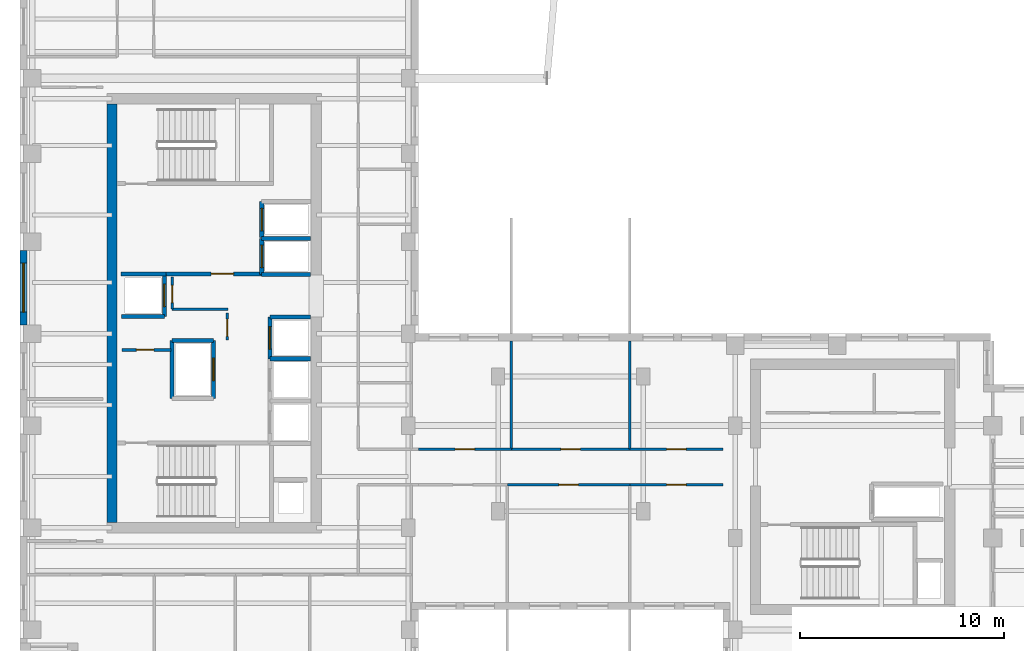
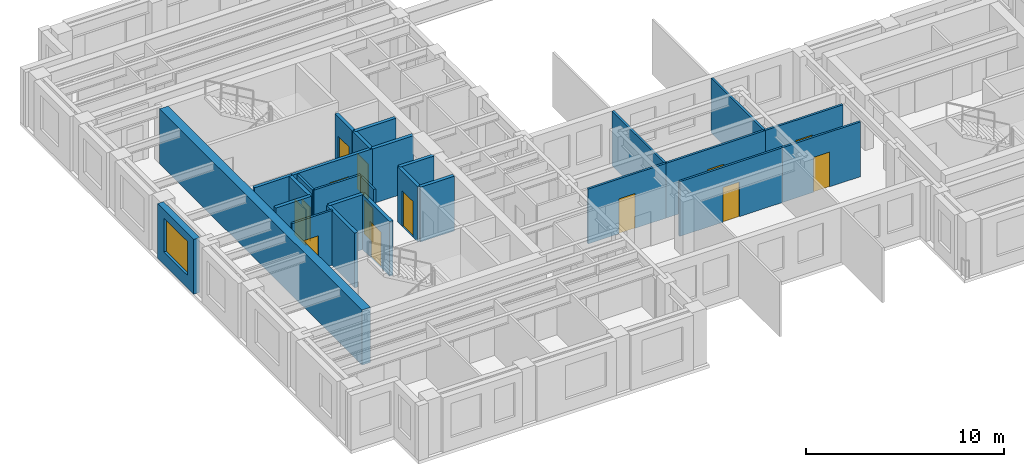
# One storey, part 5 of 11: 27 walls, 14 doors, 1 window, 15 openings.
"""IFC4 building model written with IfcOpenShell, lengths in metres."""

from ifc_helpers import new_model, si_unit, direction, frame, frame_2d, origin, place, context, subcontext, project, spatial, rectangle, extrude, source, transform, mapped, material, layer, layer_set, type_object, element, fill, save


model = new_model("IFC4")

# Units and contexts
model_context = context("Model", 3, precision=1e-05, world=origin(), true_north=direction((0.0, 1.0)))
body_context = subcontext(model_context, "Body", "Model", "MODEL_VIEW")
ifc_project = project(units=[si_unit("LENGTHUNIT", "METRE"), si_unit("AREAUNIT", "SQUARE_METRE"), si_unit("VOLUMEUNIT", "CUBIC_METRE"), si_unit("PLANEANGLEUNIT", "RADIAN"), si_unit("MASSUNIT", "GRAM", prefix="KILO")], contexts=[model_context])

# Site, building, storey
site_placement = place(None, origin())
site = spatial("IfcSite", under=ifc_project, at=site_placement, CompositionType="ELEMENT")
building_placement = place(site_placement, origin())
building = spatial("IfcBuilding", under=site, at=building_placement, Name="Kharzan Plaza Tower", CompositionType="ELEMENT")
storey_placement = place(building_placement, frame((0.0, 0.0, 219.60009765625)))
storey = spatial("IfcBuildingStorey", under=building, at=storey_placement, Name="L59", CompositionType="ELEMENT", Elevation=219.60009765625)

# Wall, opening, window
ifc_material_1 = material(Name="Concrete C40/50", Category="concrete")
ifc_layer_1 = layer(ifc_material_1, 0.35009765625)
ifc_layer_set_1 = layer_set([ifc_layer_1], Name="Concrete C40/50")
wall_type_1 = type_object("IfcWallType", Name="WL-EXT-MAS-Z4", PredefinedType="SOLIDWALL", material=ifc_layer_set_1)
wall_1_placement = place(storey_placement, frame((0.175048828125, 22.076904296875, 0.0), z_axis=(0.0, 0.0, 1.0), x_axis=(0.0, -1.0, 0.0)))
wall_1 = element("IfcWall", 1, at=wall_1_placement, inside=storey, type_object=wall_type_1, Name="L59 Masonry-Frame Exterior Wall 13", PredefinedType="SOLIDWALL", context=body_context, shape_type="SweptSolid", body=[
    extrude(rectangle(XDim=3.65380859375, YDim=0.35009765625, at=frame_2d((1.826904296875, 0.0))), origin(), (0.0, 0.0, 1.0), 3.385009765625),
])
opening_1_placement = place(wall_1_placement, frame((0.626953125, 0.0, 0.780029296875)))
opening_1 = element("IfcOpeningElement", 2, at=opening_1_placement, cuts=wall_1, Name="Opening W2", PredefinedType="OPENING", context=body_context, shape_type="SweptSolid", body=[
    extrude(rectangle(XDim=2.39990234375, YDim=2.10009765625, at=frame_2d((1.199951171875, 1.050048828125))), frame((0.0, 0.18505859375, 0.0), z_axis=(0.0, -1.0, 0.0), x_axis=(1.0, 0.0, 0.0)), (0.0, 0.0, 1.0), 0.3701171875),
])
ifc_material_2 = material(Name="Low-E Double Glazing", Category="glass")
window_type = type_object("IfcWindowType", Name="WN-REC-2400x2100", PartitioningType="SINGLE_PANEL", PredefinedType="WINDOW", material=ifc_material_2)
shared_shape_1 = source(origin(), body_context, "Body", "SweptSolid", [
    extrude(rectangle(XDim=2.39990234375, YDim=2.10009765625, at=frame_2d((1.199951171875, 1.050048828125))), frame((0.0, 0.030029296875, 0.0), z_axis=(0.0, -1.0, 0.0), x_axis=(1.0, 0.0, 0.0)), (0.0, 0.0, 1.0), 0.06005859375),
])
window_placement = place(opening_1_placement, origin())
window = element("IfcWindow", 3, at=window_placement, inside=storey, type_object=window_type, Name="L59 Wide Recessed Solar-Control Window 13-1", OverallHeight=2.10009765625, OverallWidth=2.39990234375, PartitioningType="SINGLE_PANEL", PredefinedType="WINDOW", context=body_context, shape_type="MappedRepresentation", body=[
    mapped(shared_shape_1, transform((0.0, 0.0, 0.0), x_axis=(1.0, 0.0, 0.0), y_axis=(0.0, 1.0, 0.0), z_axis=(0.0, 0.0, 1.0))),
])
fill(opening_1, window)

# Wall, opening, door
ifc_layer_2 = layer(ifc_material_1, 0.179931640625)
ifc_layer_set_2 = layer_set([ifc_layer_2], Name="Concrete C40/50")
wall_type_2 = type_object("IfcWallType", Name="WL-INT-FIRE-180", PredefinedType="PARTITIONING", material=ifc_layer_set_2)
wall_2_placement = place(storey_placement, frame((7.14990234375, 20.919921875, 0.0), z_axis=(0.0, 0.0, 1.0), x_axis=(1.0, 0.0, 0.0)))
wall_2 = element("IfcWall", 4, at=wall_2_placement, inside=storey, type_object=wall_type_2, Name="L59 Interior Partition CA-FF-S", PredefinedType="PARTITIONING", context=body_context, shape_type="SweptSolid", body=[
    extrude(rectangle(XDim=4.68017578125, YDim=0.179931640625, at=frame_2d((2.340087890625, 0.0))), origin(), (0.0, 0.0, 1.0), 3.385009765625),
])
opening_2_placement = place(wall_2_placement, frame((2.199951171875, 0.0, 0.0)))
opening_2 = element("IfcOpeningElement", 5, at=opening_2_placement, cuts=wall_2, Name="Opening FD1", PredefinedType="OPENING", context=body_context, shape_type="SweptSolid", body=[
    extrude(rectangle(XDim=1.10009765625, YDim=2.14990234375, at=frame_2d((0.550048828125, 1.074951171875))), frame((0.0, 0.099853515625, 0.0), z_axis=(0.0, -1.0, 0.0), x_axis=(1.0, 0.0, 0.0)), (0.0, 0.0, 1.0), 0.199951171875),
])
ifc_material_3 = material(Name="Fire-Rated Acoustic Vision-Panel Steel", Category="steel")
door_type_1 = type_object("IfcDoorType", Name="DR-FIRE-LOBBY", OperationType="NOTDEFINED", PredefinedType="DOOR", material=ifc_material_3)
shared_shape_2 = source(origin(), body_context, "Body", "SweptSolid", [
    extrude(rectangle(XDim=1.10009765625, YDim=2.14990234375, at=frame_2d((0.550048828125, 1.074951171875))), frame((0.0, 0.02490234375, 0.0), z_axis=(0.0, -1.0, 0.0), x_axis=(1.0, 0.0, 0.0)), (0.0, 0.0, 1.0), 0.050048828125),
])
door_1_placement = place(opening_2_placement, origin())
door_1 = element("IfcDoor", 6, at=door_1_placement, inside=storey, type_object=door_type_1, Name="L59 Firefighting Lobby Door", OperationType="SINGLE_SWING_LEFT", OverallHeight=2.14990234375, OverallWidth=1.10009765625, PredefinedType="DOOR", context=body_context, shape_type="MappedRepresentation", body=[
    mapped(shared_shape_2, transform((0.0, 0.0, 0.0), x_axis=(1.0, 0.0, 0.0), y_axis=(0.0, 1.0, 0.0), z_axis=(0.0, 0.0, 1.0))),
])
fill(opening_2, door_1)

ifc_material_4 = material(Name="Fire-Rated Gypsum Board Partition", Category="gypsum")
ifc_layer_3 = layer(ifc_material_4, 0.125)
ifc_layer_set_3 = layer_set([ifc_layer_3], Name="Fire-Rated Gypsum Board Partition")
wall_type_3 = type_object("IfcWallType", Name="WL-INT-PART-125", PredefinedType="PARTITIONING", material=ifc_layer_set_3)
wall_3_placement = place(storey_placement, frame((10.14990234375, 17.679931640625, 0.0), z_axis=(0.0, 0.0, 1.0), x_axis=(0.0, 1.0, 0.0)))
wall_3 = element("IfcWall", 7, at=wall_3_placement, inside=storey, type_object=wall_type_3, Name="L59 Interior Partition CA-K2A", PredefinedType="PARTITIONING", context=body_context, shape_type="SweptSolid", body=[
    extrude(rectangle(XDim=1.320068359375, YDim=0.125, at=frame_2d((0.66015625, 0.0))), origin(), (0.0, 0.0, 1.0), 3.385009765625),
])
opening_3_placement = place(wall_3_placement, frame((0.18505859375, 0.0, 0.0)))
opening_3 = element("IfcOpeningElement", 8, at=opening_3_placement, cuts=wall_3, Name="Opening RD1", PredefinedType="OPENING", context=body_context, shape_type="SweptSolid", body=[
    extrude(rectangle(XDim=0.85009765625, YDim=2.10009765625, at=frame_2d((0.425048828125, 1.050048828125))), frame((0.0, 0.072509765625, 0.0), z_axis=(0.0, -1.0, 0.0), x_axis=(1.0, 0.0, 0.0)), (0.0, 0.0, 1.0), 0.14501953125),
])
ifc_material_5 = material(Name="Powder-Coated Fire-Rated Steel", Category="steel")
door_type_2 = type_object("IfcDoorType", Name="DR-RISER-900", OperationType="NOTDEFINED", PredefinedType="DOOR", material=ifc_material_5)
shared_shape_3 = source(origin(), body_context, "Body", "SweptSolid", [
    extrude(rectangle(XDim=0.85009765625, YDim=2.10009765625, at=frame_2d((0.425048828125, 1.050048828125))), frame((0.0, 0.02490234375, 0.0), z_axis=(0.0, -1.0, 0.0), x_axis=(1.0, 0.0, 0.0)), (0.0, 0.0, 1.0), 0.050048828125),
])
door_2_placement = place(opening_3_placement, origin())
door_2 = element("IfcDoor", 9, at=door_2_placement, inside=storey, type_object=door_type_2, Name="L59 Core Mechanical Store Door", OperationType="SINGLE_SWING_RIGHT", OverallHeight=2.10009765625, OverallWidth=0.85009765625, PredefinedType="DOOR", context=body_context, shape_type="MappedRepresentation", body=[
    mapped(shared_shape_3, transform((0.0, 0.0, 0.0), x_axis=(1.0, 0.0, 0.0), y_axis=(0.0, 1.0, 0.0), z_axis=(0.0, 0.0, 1.0))),
])
fill(opening_3, door_2)

wall_4_placement = place(storey_placement, frame((7.449951171875, 19.199951171875, 0.0), z_axis=(0.0, 0.0, 1.0), x_axis=(0.0, 1.0, 0.0)))
wall_4 = element("IfcWall", 10, at=wall_4_placement, inside=storey, type_object=wall_type_3, Name="L59 Interior Partition CA-K2B", PredefinedType="PARTITIONING", context=body_context, shape_type="SweptSolid", body=[
    extrude(rectangle(XDim=1.580078125, YDim=0.125, at=frame_2d((0.7900390625, 0.0))), origin(), (0.0, 0.0, 1.0), 3.385009765625),
])
opening_4_placement = place(wall_4_placement, frame((0.31494140625, 0.0, 0.0)))
opening_4 = element("IfcOpeningElement", 11, at=opening_4_placement, cuts=wall_4, Name="Opening RD1", PredefinedType="OPENING", context=body_context, shape_type="SweptSolid", body=[
    extrude(rectangle(XDim=0.85009765625, YDim=2.10009765625, at=frame_2d((0.425048828125, 1.050048828125))), frame((0.0, 0.072509765625, 0.0), z_axis=(0.0, -1.0, 0.0), x_axis=(1.0, 0.0, 0.0)), (0.0, 0.0, 1.0), 0.14501953125),
])
door_3_placement = place(opening_4_placement, origin())
door_3 = element("IfcDoor", 12, at=door_3_placement, inside=storey, type_object=door_type_2, Name="L59 Core Plant Store Door", OperationType="SINGLE_SWING_LEFT", OverallHeight=2.10009765625, OverallWidth=0.85009765625, PredefinedType="DOOR", context=body_context, shape_type="MappedRepresentation", body=[
    mapped(shared_shape_3, transform((0.0, 0.0, 0.0), x_axis=(1.0, 0.0, 0.0), y_axis=(0.0, 1.0, 0.0), z_axis=(0.0, 0.0, 1.0))),
])
fill(opening_4, door_3)

wall_5_placement = place(storey_placement, frame((5.0, 17.199951171875, 0.0), z_axis=(0.0, 0.0, 1.0), x_axis=(1.0, 0.0, 0.0)))
wall_5 = element("IfcWall", 13, at=wall_5_placement, inside=storey, type_object=wall_type_3, Name="L59 Interior Partition CA-K2N0", PredefinedType="PARTITIONING", context=body_context, shape_type="SweptSolid", body=[
    extrude(rectangle(XDim=2.39990234375, YDim=0.125, at=frame_2d((1.199951171875, 0.0))), origin(), (0.0, 0.0, 1.0), 3.385009765625),
])
opening_5_placement = place(wall_5_placement, frame((0.699951171875, 0.0, 0.0)))
opening_5 = element("IfcOpeningElement", 14, at=opening_5_placement, cuts=wall_5, Name="Opening RD1", PredefinedType="OPENING", context=body_context, shape_type="SweptSolid", body=[
    extrude(rectangle(XDim=0.85009765625, YDim=2.10009765625, at=frame_2d((0.425048828125, 1.050048828125))), frame((0.0, 0.072509765625, 0.0), z_axis=(0.0, -1.0, 0.0), x_axis=(1.0, 0.0, 0.0)), (0.0, 0.0, 1.0), 0.14501953125),
])
door_4_placement = place(opening_5_placement, origin())
door_4 = element("IfcDoor", 15, at=door_4_placement, inside=storey, type_object=door_type_2, Name="L59 Core Electrical Store Door", OperationType="SINGLE_SWING_LEFT", OverallHeight=2.10009765625, OverallWidth=0.85009765625, PredefinedType="DOOR", context=body_context, shape_type="MappedRepresentation", body=[
    mapped(shared_shape_3, transform((0.0, 0.0, 0.0), x_axis=(1.0, 0.0, 0.0), y_axis=(0.0, 1.0, 0.0), z_axis=(0.0, 0.0, 1.0))),
])
fill(opening_5, door_4)

wall_6_placement = place(storey_placement, frame((29.85009765625, 12.35009765625, 0.0), z_axis=(0.0, 0.0, 1.0), x_axis=(1.0, 0.0, 0.0)))
wall_6 = element("IfcWall", 16, at=wall_6_placement, inside=storey, type_object=wall_type_3, Name="L59 Interior Partition SH-SPNE1", PredefinedType="PARTITIONING", context=body_context, shape_type="SweptSolid", body=[
    extrude(rectangle(XDim=4.5498046875, YDim=0.125, at=frame_2d((2.27490234375, 0.0))), origin(), (0.0, 0.0, 1.0), 3.385009765625),
])
opening_6_placement = place(wall_6_placement, frame((1.800048828125, 0.0, 0.0)))
opening_6 = element("IfcOpeningElement", 17, at=opening_6_placement, cuts=wall_6, Name="Opening OD1", PredefinedType="OPENING", context=body_context, shape_type="SweptSolid", body=[
    extrude(rectangle(XDim=0.949951171875, YDim=2.14990234375, at=frame_2d((0.47509765625, 1.074951171875))), frame((0.0, 0.072509765625, 0.0), z_axis=(0.0, -1.0, 0.0), x_axis=(1.0, 0.0, 0.0)), (0.0, 0.0, 1.0), 0.14501953125),
])
ifc_material_6 = material(Name="Acoustic Solid-Core Stained Oak", Category="timber")
door_type_3 = type_object("IfcDoorType", Name="DR-OFF-SINGLE", OperationType="NOTDEFINED", PredefinedType="DOOR", material=ifc_material_6)
shared_shape_4 = source(origin(), body_context, "Body", "SweptSolid", [
    extrude(rectangle(XDim=0.949951171875, YDim=2.14990234375, at=frame_2d((0.47509765625, 1.074951171875))), frame((0.0, 0.02490234375, 0.0), z_axis=(0.0, -1.0, 0.0), x_axis=(1.0, 0.0, 0.0)), (0.0, 0.0, 1.0), 0.050048828125),
])
door_5_placement = place(opening_6_placement, origin())
door_5 = element("IfcDoor", 18, at=door_5_placement, inside=storey, type_object=door_type_3, Name="L59 North-East Spine Door", OperationType="SINGLE_SWING_RIGHT", OverallHeight=2.14990234375, OverallWidth=0.949951171875, PredefinedType="DOOR", context=body_context, shape_type="MappedRepresentation", body=[
    mapped(shared_shape_4, transform((0.0, 0.0, 0.0), x_axis=(1.0, 0.0, 0.0), y_axis=(0.0, 1.0, 0.0), z_axis=(0.0, 0.0, 1.0))),
])
fill(opening_6, door_5)

wall_7_placement = place(storey_placement, frame((24.050048828125, 12.35009765625, 0.0), z_axis=(0.0, 0.0, 1.0), x_axis=(1.0, 0.0, 0.0)))
wall_7 = element("IfcWall", 19, at=wall_7_placement, inside=storey, type_object=wall_type_3, Name="L59 Interior Partition SH-SPNM", PredefinedType="PARTITIONING", context=body_context, shape_type="SweptSolid", body=[
    extrude(rectangle(XDim=5.800048828125, YDim=0.125, at=frame_2d((2.89990234375, 0.0))), origin(), (0.0, 0.0, 1.0), 3.385009765625),
])
opening_7_placement = place(wall_7_placement, frame((2.425048828125, 0.0, 0.0)))
opening_7 = element("IfcOpeningElement", 20, at=opening_7_placement, cuts=wall_7, Name="Opening OD1", PredefinedType="OPENING", context=body_context, shape_type="SweptSolid", body=[
    extrude(rectangle(XDim=0.949951171875, YDim=2.14990234375, at=frame_2d((0.47509765625, 1.074951171875))), frame((0.0, 0.072509765625, 0.0), z_axis=(0.0, -1.0, 0.0), x_axis=(1.0, 0.0, 0.0)), (0.0, 0.0, 1.0), 0.14501953125),
])
door_6_placement = place(opening_7_placement, origin())
door_6 = element("IfcDoor", 21, at=door_6_placement, inside=storey, type_object=door_type_3, Name="L59 Reclaimed Spine Door", OperationType="SINGLE_SWING_LEFT", OverallHeight=2.14990234375, OverallWidth=0.949951171875, PredefinedType="DOOR", context=body_context, shape_type="MappedRepresentation", body=[
    mapped(shared_shape_4, transform((0.0, 0.0, 0.0), x_axis=(1.0, 0.0, 0.0), y_axis=(0.0, 1.0, 0.0), z_axis=(0.0, 0.0, 1.0))),
])
fill(opening_7, door_6)

wall_8_placement = place(storey_placement, frame((19.5, 12.35009765625, 0.0), z_axis=(0.0, 0.0, 1.0), x_axis=(1.0, 0.0, 0.0)))
wall_8 = element("IfcWall", 22, at=wall_8_placement, inside=storey, type_object=wall_type_3, Name="L59 Interior Partition SH-SPNW1", PredefinedType="PARTITIONING", context=body_context, shape_type="SweptSolid", body=[
    extrude(rectangle(XDim=4.550048828125, YDim=0.125, at=frame_2d((2.27490234375, 0.0))), origin(), (0.0, 0.0, 1.0), 3.385009765625),
])
opening_8_placement = place(wall_8_placement, frame((1.800048828125, 0.0, 0.0)))
opening_8 = element("IfcOpeningElement", 23, at=opening_8_placement, cuts=wall_8, Name="Opening OD1", PredefinedType="OPENING", context=body_context, shape_type="SweptSolid", body=[
    extrude(rectangle(XDim=0.949951171875, YDim=2.14990234375, at=frame_2d((0.47509765625, 1.074951171875))), frame((0.0, 0.072509765625, 0.0), z_axis=(0.0, -1.0, 0.0), x_axis=(1.0, 0.0, 0.0)), (0.0, 0.0, 1.0), 0.14501953125),
])
door_7_placement = place(opening_8_placement, origin())
door_7 = element("IfcDoor", 24, at=door_7_placement, inside=storey, type_object=door_type_3, Name="L59 North-West Spine Door", OperationType="SINGLE_SWING_LEFT", OverallHeight=2.14990234375, OverallWidth=0.949951171875, PredefinedType="DOOR", context=body_context, shape_type="MappedRepresentation", body=[
    mapped(shared_shape_4, transform((0.0, 0.0, 0.0), x_axis=(1.0, 0.0, 0.0), y_axis=(0.0, 1.0, 0.0), z_axis=(0.0, 0.0, 1.0))),
])
fill(opening_8, door_7)

wall_9_placement = place(storey_placement, frame((23.85009765625, 10.60009765625, 0.0), z_axis=(0.0, 0.0, 1.0), x_axis=(1.0, 0.0, 0.0)))
wall_9 = element("IfcWall", 25, at=wall_9_placement, inside=storey, type_object=wall_type_3, Name="L59 Interior Partition SH-SPS2", PredefinedType="PARTITIONING", context=body_context, shape_type="SweptSolid", body=[
    extrude(rectangle(XDim=6.0, YDim=0.125, at=frame_2d((3.0, 0.0))), origin(), (0.0, 0.0, 1.0), 3.385009765625),
])
opening_9_placement = place(wall_9_placement, frame((2.52490234375, 0.0, 0.0)))
opening_9 = element("IfcOpeningElement", 26, at=opening_9_placement, cuts=wall_9, Name="Opening OD1", PredefinedType="OPENING", context=body_context, shape_type="SweptSolid", body=[
    extrude(rectangle(XDim=0.949951171875, YDim=2.14990234375, at=frame_2d((0.47509765625, 1.074951171875))), frame((0.0, 0.072509765625, 0.0), z_axis=(0.0, -1.0, 0.0), x_axis=(1.0, 0.0, 0.0)), (0.0, 0.0, 1.0), 0.14501953125),
])
door_8_placement = place(opening_9_placement, origin())
door_8 = element("IfcDoor", 27, at=door_8_placement, inside=storey, type_object=door_type_3, Name="L59 Spine Studio 2 Door", OperationType="SINGLE_SWING_LEFT", OverallHeight=2.14990234375, OverallWidth=0.949951171875, PredefinedType="DOOR", context=body_context, shape_type="MappedRepresentation", body=[
    mapped(shared_shape_4, transform((0.0, 0.0, 0.0), x_axis=(1.0, 0.0, 0.0), y_axis=(0.0, 1.0, 0.0), z_axis=(0.0, 0.0, 1.0))),
])
fill(opening_9, door_8)

wall_10_placement = place(storey_placement, frame((29.85009765625, 10.60009765625, 0.0), z_axis=(0.0, 0.0, 1.0), x_axis=(1.0, 0.0, 0.0)))
wall_10 = element("IfcWall", 28, at=wall_10_placement, inside=storey, type_object=wall_type_3, Name="L59 Interior Partition SH-SPS3", PredefinedType="PARTITIONING", context=body_context, shape_type="SweptSolid", body=[
    extrude(rectangle(XDim=4.5498046875, YDim=0.125, at=frame_2d((2.27490234375, 0.0))), origin(), (0.0, 0.0, 1.0), 3.385009765625),
])
opening_10_placement = place(wall_10_placement, frame((1.800048828125, 0.0, 0.0)))
opening_10 = element("IfcOpeningElement", 29, at=opening_10_placement, cuts=wall_10, Name="Opening OD1", PredefinedType="OPENING", context=body_context, shape_type="SweptSolid", body=[
    extrude(rectangle(XDim=0.949951171875, YDim=2.14990234375, at=frame_2d((0.47509765625, 1.074951171875))), frame((0.0, 0.072509765625, 0.0), z_axis=(0.0, -1.0, 0.0), x_axis=(1.0, 0.0, 0.0)), (0.0, 0.0, 1.0), 0.14501953125),
])
door_9_placement = place(opening_10_placement, origin())
door_9 = element("IfcDoor", 30, at=door_9_placement, inside=storey, type_object=door_type_3, Name="L59 Spine Studio 3 Door", OperationType="SINGLE_SWING_RIGHT", OverallHeight=2.14990234375, OverallWidth=0.949951171875, PredefinedType="DOOR", context=body_context, shape_type="MappedRepresentation", body=[
    mapped(shared_shape_4, transform((0.0, 0.0, 0.0), x_axis=(1.0, 0.0, 0.0), y_axis=(0.0, 1.0, 0.0), z_axis=(0.0, 0.0, 1.0))),
])
fill(opening_10, door_9)

ifc_layer_4 = layer(ifc_material_1, 0.199951171875)
ifc_layer_set_4 = layer_set([ifc_layer_4], Name="Concrete C40/50")
wall_type_4 = type_object("IfcWallType", Name="WL-INT-SHAFT-200", PredefinedType="PARTITIONING", material=ifc_layer_set_4)
wall_11_placement = place(storey_placement, frame((11.830078125, 20.89990234375, 0.0), z_axis=(0.0, 0.0, 1.0), x_axis=(0.0, 1.0, 0.0)))
wall_11 = element("IfcWall", 31, at=wall_11_placement, inside=storey, type_object=wall_type_4, Name="L59 Interior Partition SHF-FFL-1-W", PredefinedType="PARTITIONING", context=body_context, shape_type="SweptSolid", body=[
    extrude(rectangle(XDim=1.760009765625, YDim=0.199951171875, at=frame_2d((0.8798828125, 0.0))), origin(), (0.0, 0.0, 1.0), 3.385009765625),
])
opening_11_placement = place(wall_11_placement, frame((0.330078125, 0.0, 0.0)))
opening_11 = element("IfcOpeningElement", 32, at=opening_11_placement, cuts=wall_11, Name="Opening LD", PredefinedType="OPENING", context=body_context, shape_type="SweptSolid", body=[
    extrude(rectangle(XDim=1.10009765625, YDim=2.199951171875, at=frame_2d((0.550048828125, 1.10009765625))), frame((0.0, 0.10986328125, 0.0), z_axis=(0.0, -1.0, 0.0), x_axis=(1.0, 0.0, 0.0)), (0.0, 0.0, 1.0), 0.219970703125),
])
ifc_material_7 = material(Name="Brushed Stainless Steel", Category="steel")
door_type_4 = type_object("IfcDoorType", Name="DR-LIFT-SLIDE", OperationType="SLIDING_TO_LEFT", PredefinedType="DOOR", material=ifc_material_7)
shared_shape_5 = source(origin(), body_context, "Body", "SweptSolid", [
    extrude(rectangle(XDim=1.10009765625, YDim=2.199951171875, at=frame_2d((0.550048828125, 1.10009765625))), frame((0.0, 0.02490234375, 0.0), z_axis=(0.0, -1.0, 0.0), x_axis=(1.0, 0.0, 0.0)), (0.0, 0.0, 1.0), 0.050048828125),
])
door_10_placement = place(opening_11_placement, origin())
door_10 = element("IfcDoor", 33, at=door_10_placement, inside=storey, type_object=door_type_4, Name="L59 Firefighting Lift FFL-1 Sliding Landing Door", OperationType="SLIDING_TO_LEFT", OverallHeight=2.199951171875, OverallWidth=1.10009765625, PredefinedType="DOOR", context=body_context, shape_type="MappedRepresentation", body=[
    mapped(shared_shape_5, transform((0.0, 0.0, 0.0), x_axis=(1.0, 0.0, 0.0), y_axis=(0.0, 1.0, 0.0), z_axis=(0.0, 0.0, 1.0))),
])
fill(opening_11, door_10)

wall_12_placement = place(storey_placement, frame((11.830078125, 22.699951171875, 0.0), z_axis=(0.0, 0.0, 1.0), x_axis=(0.0, 1.0, 0.0)))
wall_12 = element("IfcWall", 34, at=wall_12_placement, inside=storey, type_object=wall_type_4, Name="L59 Interior Partition SHF-FFL-2-W", PredefinedType="PARTITIONING", context=body_context, shape_type="SweptSolid", body=[
    extrude(rectangle(XDim=1.760009765625, YDim=0.199951171875, at=frame_2d((0.8798828125, 0.0))), origin(), (0.0, 0.0, 1.0), 3.385009765625),
])
opening_12_placement = place(wall_12_placement, frame((0.330078125, 0.0, 0.0)))
opening_12 = element("IfcOpeningElement", 35, at=opening_12_placement, cuts=wall_12, Name="Opening LD", PredefinedType="OPENING", context=body_context, shape_type="SweptSolid", body=[
    extrude(rectangle(XDim=1.10009765625, YDim=2.199951171875, at=frame_2d((0.550048828125, 1.10009765625))), frame((0.0, 0.10986328125, 0.0), z_axis=(0.0, -1.0, 0.0), x_axis=(1.0, 0.0, 0.0)), (0.0, 0.0, 1.0), 0.219970703125),
])
door_11_placement = place(opening_12_placement, origin())
door_11 = element("IfcDoor", 36, at=door_11_placement, inside=storey, type_object=door_type_4, Name="L59 Firefighting Lift FFL-2 Sliding Landing Door", OperationType="SLIDING_TO_LEFT", OverallHeight=2.199951171875, OverallWidth=1.10009765625, PredefinedType="DOOR", context=body_context, shape_type="MappedRepresentation", body=[
    mapped(shared_shape_5, transform((0.0, 0.0, 0.0), x_axis=(1.0, 0.0, 0.0), y_axis=(0.0, 1.0, 0.0), z_axis=(0.0, 0.0, 1.0))),
])
fill(opening_12, door_11)

wall_13_placement = place(storey_placement, frame((12.22998046875, 16.77001953125, 0.0), z_axis=(0.0, 0.0, 1.0), x_axis=(0.0, 1.0, 0.0)))
wall_13 = element("IfcWall", 37, at=wall_13_placement, inside=storey, type_object=wall_type_4, Name="L59 Interior Partition SHF-PL-H3-W", PredefinedType="PARTITIONING", context=body_context, shape_type="SweptSolid", body=[
    extrude(rectangle(XDim=2.050048828125, YDim=0.199951171875, at=frame_2d((1.02490234375, 0.0))), origin(), (0.0, 0.0, 1.0), 3.385009765625),
])
opening_13_placement = place(wall_13_placement, frame((0.47509765625, 0.0, 0.0)))
opening_13 = element("IfcOpeningElement", 38, at=opening_13_placement, cuts=wall_13, Name="Opening LD", PredefinedType="OPENING", context=body_context, shape_type="SweptSolid", body=[
    extrude(rectangle(XDim=1.10009765625, YDim=2.199951171875, at=frame_2d((0.550048828125, 1.10009765625))), frame((0.0, 0.10986328125, 0.0), z_axis=(0.0, -1.0, 0.0), x_axis=(1.0, 0.0, 0.0)), (0.0, 0.0, 1.0), 0.219970703125),
])
door_12_placement = place(opening_13_placement, origin())
door_12 = element("IfcDoor", 39, at=door_12_placement, inside=storey, type_object=door_type_4, Name="L59 High-Rise Passenger Lift PL-H3 Sliding Landing Door", OperationType="SLIDING_TO_LEFT", OverallHeight=2.199951171875, OverallWidth=1.10009765625, PredefinedType="DOOR", context=body_context, shape_type="MappedRepresentation", body=[
    mapped(shared_shape_5, transform((0.0, 0.0, 0.0), x_axis=(1.0, 0.0, 0.0), y_axis=(0.0, 1.0, 0.0), z_axis=(0.0, 0.0, 1.0))),
])
fill(opening_13, door_12)

wall_14_placement = place(storey_placement, frame((7.070068359375, 18.840087890625, 0.0), z_axis=(0.0, 0.0, 1.0), x_axis=(0.0, 1.0, 0.0)))
wall_14 = element("IfcWall", 40, at=wall_14_placement, inside=storey, type_object=wall_type_4, Name="L59 Interior Partition SHF-PL-H4-E", PredefinedType="PARTITIONING", context=body_context, shape_type="SweptSolid", body=[
    extrude(rectangle(XDim=2.059814453125, YDim=0.199951171875, at=frame_2d((1.02978515625, 0.0))), origin(), (0.0, 0.0, 1.0), 3.385009765625),
])
opening_14_placement = place(wall_14_placement, frame((0.47998046875, 0.0, 0.0)))
opening_14 = element("IfcOpeningElement", 41, at=opening_14_placement, cuts=wall_14, Name="Opening LD", PredefinedType="OPENING", context=body_context, shape_type="SweptSolid", body=[
    extrude(rectangle(XDim=1.10009765625, YDim=2.199951171875, at=frame_2d((0.550048828125, 1.10009765625))), frame((0.0, 0.10986328125, 0.0), z_axis=(0.0, -1.0, 0.0), x_axis=(1.0, 0.0, 0.0)), (0.0, 0.0, 1.0), 0.219970703125),
])
door_13_placement = place(opening_14_placement, origin())
door_13 = element("IfcDoor", 42, at=door_13_placement, inside=storey, type_object=door_type_4, Name="L59 High-Rise Passenger Lift PL-H4 Sliding Landing Door", OperationType="SLIDING_TO_LEFT", OverallHeight=2.199951171875, OverallWidth=1.10009765625, PredefinedType="DOOR", context=body_context, shape_type="MappedRepresentation", body=[
    mapped(shared_shape_5, transform((0.0, 0.0, 0.0), x_axis=(1.0, 0.0, 0.0), y_axis=(0.0, 1.0, 0.0), z_axis=(0.0, 0.0, 1.0))),
])
fill(opening_14, door_13)

wall_15_placement = place(storey_placement, frame((9.469970703125, 14.830078125, 0.0), z_axis=(0.0, 0.0, 1.0), x_axis=(0.0, 1.0, 0.0)))
wall_15 = element("IfcWall", 43, at=wall_15_placement, inside=storey, type_object=wall_type_4, Name="L59 Interior Partition SHF-SVL-1-E", PredefinedType="PARTITIONING", context=body_context, shape_type="SweptSolid", body=[
    extrude(rectangle(XDim=2.83984375, YDim=0.199951171875, at=frame_2d((1.419921875, 0.0))), origin(), (0.0, 0.0, 1.0), 3.385009765625),
])
opening_15_placement = place(wall_15_placement, frame((0.8701171875, 0.0, 0.0)))
opening_15 = element("IfcOpeningElement", 44, at=opening_15_placement, cuts=wall_15, Name="Opening LD", PredefinedType="OPENING", context=body_context, shape_type="SweptSolid", body=[
    extrude(rectangle(XDim=1.10009765625, YDim=2.199951171875, at=frame_2d((0.550048828125, 1.10009765625))), frame((0.0, 0.10986328125, 0.0), z_axis=(0.0, -1.0, 0.0), x_axis=(1.0, 0.0, 0.0)), (0.0, 0.0, 1.0), 0.219970703125),
])
door_14_placement = place(opening_15_placement, origin())
door_14 = element("IfcDoor", 45, at=door_14_placement, inside=storey, type_object=door_type_4, Name="L59 Service Lift SVL-1 Sliding Landing Door", OperationType="SLIDING_TO_LEFT", OverallHeight=2.199951171875, OverallWidth=1.10009765625, PredefinedType="DOOR", context=body_context, shape_type="MappedRepresentation", body=[
    mapped(shared_shape_5, transform((0.0, 0.0, 0.0), x_axis=(1.0, 0.0, 0.0), y_axis=(0.0, 1.0, 0.0), z_axis=(0.0, 0.0, 1.0))),
])
fill(opening_15, door_14)

# Walls
shared_shape_6 = source(origin(), body_context, "Body", "SweptSolid", [
    extrude(rectangle(XDim=2.199951171875, YDim=0.179931640625, at=frame_2d((1.10009765625, 0.0))), origin(), (0.0, 0.0, 1.0), 3.385009765625),
])
wall_16_placement = place(storey_placement, frame((4.949951171875, 20.919921875, 0.0), z_axis=(0.0, 0.0, 1.0), x_axis=(1.0, 0.0, 0.0)))
element("IfcWall", 46, at=wall_16_placement, inside=storey, type_object=wall_type_2, Name="L59 Interior Partition CA-FF-SW", PredefinedType="PARTITIONING", context=body_context, shape_type="MappedRepresentation", body=[
    mapped(shared_shape_6, transform((0.0, 0.0, 0.0), x_axis=(1.0, 0.0, 0.0), y_axis=(0.0, 1.0, 0.0), z_axis=(0.0, 0.0, 1.0))),
])
shared_shape_7 = source(origin(), body_context, "Body", "SweptSolid", [
    extrude(rectangle(XDim=2.72998046875, YDim=0.125, at=frame_2d((1.364990234375, 0.0))), origin(), (0.0, 0.0, 1.0), 3.385009765625),
])
wall_17_placement = place(storey_placement, frame((7.449951171875, 19.199951171875, 0.0), z_axis=(0.0, 0.0, 1.0), x_axis=(1.0, 0.0, 0.0)))
element("IfcWall", 47, at=wall_17_placement, inside=storey, type_object=wall_type_3, Name="L59 Interior Partition CA-K2M", PredefinedType="PARTITIONING", context=body_context, shape_type="MappedRepresentation", body=[
    mapped(shared_shape_7, transform((0.0, 0.0, 0.0), x_axis=(1.0, 0.0, 0.0), y_axis=(0.0, 1.0, 0.0), z_axis=(0.0, 0.0, 1.0))),
])
shared_shape_8 = source(origin(), body_context, "Body", "SweptSolid", [
    extrude(rectangle(XDim=2.090087890625, YDim=0.199951171875, at=frame_2d((1.044921875, 0.0))), origin(), (0.0, 0.0, 1.0), 3.385009765625),
])
wall_18_placement = place(storey_placement, frame((4.97998046875, 18.840087890625, 0.0), z_axis=(0.0, 0.0, 1.0), x_axis=(1.0, 0.0, 0.0)))
element("IfcWall", 48, at=wall_18_placement, inside=storey, type_object=wall_type_4, Name="L59 Interior Partition SHF-PL-H4-S", PredefinedType="PARTITIONING", context=body_context, shape_type="MappedRepresentation", body=[
    mapped(shared_shape_8, transform((0.0, 0.0, 0.0), x_axis=(1.0, 0.0, 0.0), y_axis=(0.0, 1.0, 0.0), z_axis=(0.0, 0.0, 1.0))),
])
shared_shape_9 = source(origin(), body_context, "Body", "SweptSolid", [
    extrude(rectangle(XDim=2.0400390625, YDim=0.199951171875, at=frame_2d((1.02001953125, 0.0))), origin(), (0.0, 0.0, 1.0), 3.385009765625),
])
wall_19_placement = place(storey_placement, frame((7.429931640625, 17.669921875, 0.0), z_axis=(0.0, 0.0, 1.0), x_axis=(1.0, 0.0, 0.0)))
element("IfcWall", 49, at=wall_19_placement, inside=storey, type_object=wall_type_4, Name="L59 Interior Partition SHF-SVL-1-N", PredefinedType="PARTITIONING", context=body_context, shape_type="MappedRepresentation", body=[
    mapped(shared_shape_9, transform((0.0, 0.0, 0.0), x_axis=(1.0, 0.0, 0.0), y_axis=(0.0, 1.0, 0.0), z_axis=(0.0, 0.0, 1.0))),
])
shared_shape_10 = source(origin(), body_context, "Body", "SweptSolid", [
    extrude(rectangle(XDim=2.83984375, YDim=0.199951171875, at=frame_2d((1.419921875, 0.0))), origin(), (0.0, 0.0, 1.0), 3.385009765625),
])
wall_20_placement = place(storey_placement, frame((7.429931640625, 14.830078125, 0.0), z_axis=(0.0, 0.0, 1.0), x_axis=(0.0, 1.0, 0.0)))
element("IfcWall", 50, at=wall_20_placement, inside=storey, type_object=wall_type_4, Name="L59 Interior Partition SHF-SVL-1-W", PredefinedType="PARTITIONING", context=body_context, shape_type="MappedRepresentation", body=[
    mapped(shared_shape_10, transform((0.0, 0.0, 0.0), x_axis=(1.0, 0.0, 0.0), y_axis=(0.0, 1.0, 0.0), z_axis=(0.0, 0.0, 1.0))),
])
shared_shape_11 = source(origin(), body_context, "Body", "SweptSolid", [
    extrude(rectangle(XDim=5.2978515625, YDim=0.125, at=frame_2d((2.64892578125, 0.0))), origin(), (0.0, 0.0, 1.0), 3.385009765625),
])
for number, where, z_axis, x_axis, name in (
    (51, (24.050048828125, 12.35009765625, 0.0), (0.0, 0.0, 1.0), (0.0, 1.0, 0.0), "L59 Interior Partition SH-SPML-S1"),
    (52, (29.85009765625, 12.35009765625, 0.0), (0.0, 0.0, 1.0), (0.0, 1.0, 0.0), "L59 Interior Partition SH-SPMR-S1"),
):
    element("IfcWall", number, at=place(storey_placement, frame(where, z_axis=z_axis, x_axis=x_axis)), inside=storey, type_object=wall_type_3, Name=name, PredefinedType="PARTITIONING", context=body_context, shape_type="MappedRepresentation", body=[
        mapped(shared_shape_11, transform((0.0, 0.0, 0.0), x_axis=(1.0, 0.0, 0.0), y_axis=(0.0, 1.0, 0.0), z_axis=(0.0, 0.0, 1.0))),
    ])
shared_shape_12 = source(origin(), body_context, "Body", "SweptSolid", [
    extrude(rectangle(XDim=2.389892578125, YDim=0.199951171875, at=frame_2d((1.19482421875, 0.0))), origin(), (0.0, 0.0, 1.0), 3.385009765625),
])
for number, where, z_axis, x_axis, name in (
    (53, (11.830078125, 22.659912109375, 0.0), (0.0, 0.0, 1.0), (1.0, 0.0, 0.0), "L59 Interior Partition SHF-FFL-1-N"),
    (54, (11.830078125, 20.89990234375, 0.0), (0.0, 0.0, 1.0), (1.0, 0.0, 0.0), "L59 Interior Partition SHF-FFL-1-S"),
):
    element("IfcWall", number, at=place(storey_placement, frame(where, z_axis=z_axis, x_axis=x_axis)), inside=storey, type_object=wall_type_4, Name=name, PredefinedType="PARTITIONING", context=body_context, shape_type="MappedRepresentation", body=[
        mapped(shared_shape_12, transform((0.0, 0.0, 0.0), x_axis=(1.0, 0.0, 0.0), y_axis=(0.0, 1.0, 0.0), z_axis=(0.0, 0.0, 1.0))),
    ])
shared_shape_13 = source(origin(), body_context, "Body", "SweptSolid", [
    extrude(rectangle(XDim=1.989990234375, YDim=0.199951171875, at=frame_2d((0.9951171875, 0.0))), origin(), (0.0, 0.0, 1.0), 3.385009765625),
])
for number, where, z_axis, x_axis, name in (
    (55, (12.22998046875, 16.77001953125, 0.0), (0.0, 0.0, 1.0), (1.0, 0.0, 0.0), "L59 Interior Partition SHF-PL-H2-N"),
    (56, (12.22998046875, 18.820068359375, 0.0), (0.0, 0.0, 1.0), (1.0, 0.0, 0.0), "L59 Interior Partition SHF-PL-H3-N"),
):
    element("IfcWall", number, at=place(storey_placement, frame(where, z_axis=z_axis, x_axis=x_axis)), inside=storey, type_object=wall_type_4, Name=name, PredefinedType="PARTITIONING", context=body_context, shape_type="MappedRepresentation", body=[
        mapped(shared_shape_13, transform((0.0, 0.0, 0.0), x_axis=(1.0, 0.0, 0.0), y_axis=(0.0, 1.0, 0.0), z_axis=(0.0, 0.0, 1.0))),
    ])
ifc_material_8 = material(Name="Concrete C50/60", Category="concrete")
ifc_layer_5 = layer(ifc_material_8, 0.5)
ifc_layer_set_5 = layer_set([ifc_layer_5], Name="Concrete C50/60")
wall_type_5 = type_object("IfcWallType", Name="WL-CORE-500", PredefinedType="SHEAR", material=ifc_layer_set_5)
shared_shape_14 = source(origin(), body_context, "Body", "SweptSolid", [
    extrude(rectangle(XDim=20.5, YDim=0.5, at=frame_2d((10.25, 0.0))), origin(), (0.0, 0.0, 1.0), 3.39990234375),
])
wall_21_placement = place(storey_placement, frame((4.5, 8.75, 0.0), z_axis=(0.0, 0.0, 1.0), x_axis=(0.0, 1.0, 0.0)))
element("IfcWall", 57, at=wall_21_placement, inside=storey, type_object=wall_type_5, Name="L59 CORE-A west RC shear wall", PredefinedType="SHEAR", context=body_context, shape_type="MappedRepresentation", body=[
    mapped(shared_shape_14, transform((0.0, 0.0, 0.0), x_axis=(1.0, 0.0, 0.0), y_axis=(0.0, 1.0, 0.0), z_axis=(0.0, 0.0, 1.0))),
])

save(model, "model.ifc")
